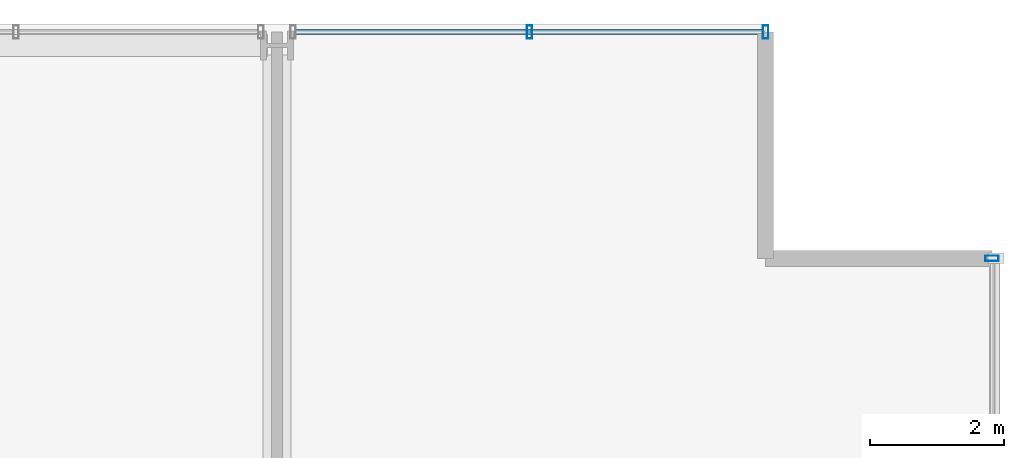
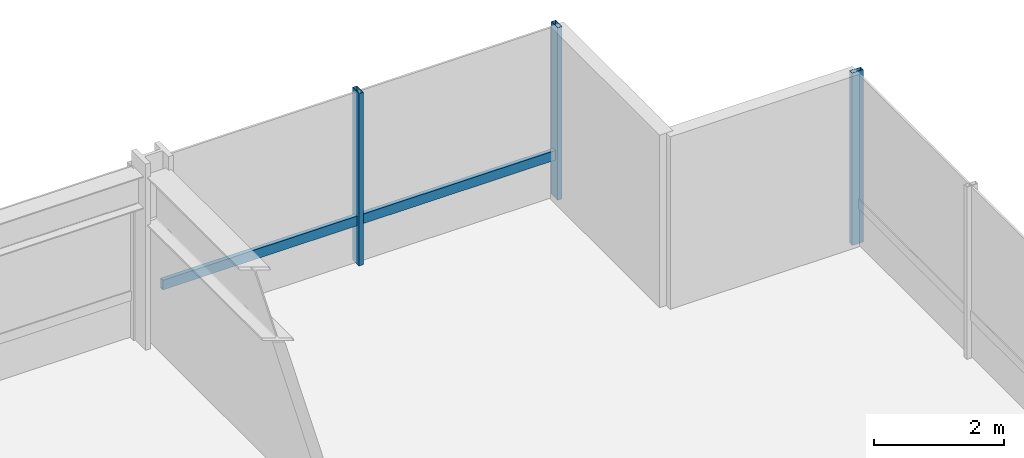
# One storey, part 28 of 39: 4 members, 2 elements without a shape of their own.
"""IFC4 building model written with IfcOpenShell, lengths in metres."""

from ifc_helpers import new_model, si_unit, direction, frame, origin, origin_2d, place, context, subcontext, project, spatial, hollow_rectangle, extrude, material, layer, layer_set, material_profile, profile_set, type_object, element, aggregate, save


model = new_model("IFC4")

# Units and contexts
model_context = context("Model", 3, precision=1e-05, world=origin(), true_north=direction((0.0, 1.0)))
body_context = subcontext(model_context, "Body", "Model", "MODEL_VIEW")
ifc_project = project(units=[si_unit("LENGTHUNIT", "METRE"), si_unit("AREAUNIT", "SQUARE_METRE"), si_unit("VOLUMEUNIT", "CUBIC_METRE"), si_unit("PLANEANGLEUNIT", "RADIAN"), si_unit("MASSUNIT", "GRAM", prefix="KILO")], contexts=[model_context])

# Site, building, storey
site_placement = place(None, origin())
site = spatial("IfcSite", under=ifc_project, at=site_placement, CompositionType="ELEMENT")
building_placement = place(site_placement, origin())
building = spatial("IfcBuilding", under=site, at=building_placement, Name="Drelvath Grand Hotel", CompositionType="ELEMENT")
storey_placement = place(building_placement, frame((0.0, 0.0, 54.199951171875)))
storey = spatial("IfcBuildingStorey", under=building, at=storey_placement, Name="L12", CompositionType="ELEMENT", Elevation=54.199951171875)

# Curtain wall, member
ifc_material = material(Name="Warm Bronze Anodised Aluminium Frame", Category="aluminium")
ifc_layer = layer(ifc_material, 0.199951171875)
ifc_layer_set = layer_set([ifc_layer], Name="Warm Bronze Anodised Aluminium Frame")
curtain_wall_type = type_object("IfcCurtainWallType", Name="Stick Curtain Wall CW-02 Warm Bronze Low-Rise", PredefinedType="NOTDEFINED", material=ifc_layer_set)
curtain_wall_1_placement = place(storey_placement, origin())
curtain_wall_1 = element("IfcCurtainWall", 1, at=curtain_wall_1_placement, inside=storey, type_object=curtain_wall_type, Name="L12 CW-02 Curtain Wall CW02-L12-NE3", PredefinedType="NOTDEFINED")
ifc_material_profile_1 = material_profile(ifc_material, hollow_rectangle(XDim=0.074951171875, YDim=0.179931640625, WallThickness=0.0048828125, at=origin_2d()), Name="HSS180X75X5")
ifc_profile_set_1 = profile_set([ifc_material_profile_1], Name="Warm Bronze Anodised Aluminium Frame")
member_type_1 = type_object("IfcMemberType", Name="Curtain Wall Horizontal Transom CW-02 HSS180X75X5", PredefinedType="USERDEFINED", material=ifc_profile_set_1)
member_1_placement = place(storey_placement, frame((16.48095703125, 53.8798828125, 0.81005859375), z_axis=(1.0, 0.0, 0.0), x_axis=(0.0, 1.0, 0.0)))
member_1 = element("IfcMember", 2, at=member_1_placement, type_object=member_type_1, Name="CW02-L12-NE3 Sill Transom", ObjectType="TRANSOM", PredefinedType="USERDEFINED", context=body_context, shape_type="SweptSolid", body=[
    extrude(hollow_rectangle(XDim=0.074951171875, YDim=0.179931640625, WallThickness=0.0048828125, at=origin_2d()), origin(), (0.0, 0.0, 1.0), 6.97900390625),
])

curtain_wall_2_placement = place(storey_placement, origin())
curtain_wall_2 = element("IfcCurtainWall", 3, at=curtain_wall_2_placement, inside=storey, type_object=curtain_wall_type, Name="L12 CW-02 Curtain Wall CW02-L12-EN3", PredefinedType="NOTDEFINED")
ifc_material_profile_2 = material_profile(ifc_material, hollow_rectangle(XDim=0.080078125, YDim=0.199951171875, WallThickness=0.0048828125, at=origin_2d()), Name="HSS200X80X5")
ifc_profile_set_2 = profile_set([ifc_material_profile_2], Name="Warm Bronze Anodised Aluminium Frame")
member_type_2 = type_object("IfcMemberType", Name="Curtain Wall Vertical Mullion CW-02 HSS200X80X5", PredefinedType="MULLION", material=ifc_profile_set_2)
member_2_placement = place(storey_placement, frame((26.8798828125, 50.5, 0.0), z_axis=(0.0, 0.0, 1.0), x_axis=(0.0, 1.0, 0.0)))
member_2 = element("IfcMember", 4, at=member_2_placement, type_object=member_type_2, Name="CW02-L12-EN3 Mullion 1", PredefinedType="MULLION", context=body_context, shape_type="SweptSolid", body=[
    extrude(hollow_rectangle(XDim=0.080078125, YDim=0.199951171875, WallThickness=0.0048828125, at=origin_2d()), origin(), (0.0, 0.0, 1.0), 3.239990234375),
])
aggregate(curtain_wall_2, [member_2])

# Member
member_3_placement = place(storey_placement, frame((19.970458984375, 53.8798828125, 0.0), z_axis=(0.0, 0.0, 1.0), x_axis=(1.0, 0.0, 0.0)))
member_3 = element("IfcMember", 5, at=member_3_placement, type_object=member_type_2, Name="CW02-L12-NE3 Mullion 2", PredefinedType="MULLION", context=body_context, shape_type="SweptSolid", body=[
    extrude(hollow_rectangle(XDim=0.080078125, YDim=0.199951171875, WallThickness=0.0048828125, at=origin_2d()), origin(), (0.0, 0.0, 1.0), 3.239990234375),
])

member_4_placement = place(storey_placement, frame((23.5, 53.8798828125, 0.0), z_axis=(0.0, 0.0, 1.0), x_axis=(1.0, 0.0, 0.0)))
member_4 = element("IfcMember", 6, at=member_4_placement, type_object=member_type_2, Name="CW02-L12-NE3 Mullion 3", PredefinedType="MULLION", context=body_context, shape_type="SweptSolid", body=[
    extrude(hollow_rectangle(XDim=0.080078125, YDim=0.199951171875, WallThickness=0.0048828125, at=origin_2d()), origin(), (0.0, 0.0, 1.0), 3.239990234375),
])

aggregate(curtain_wall_1, [member_3, member_4, member_1])

save(model, "model.ifc")
